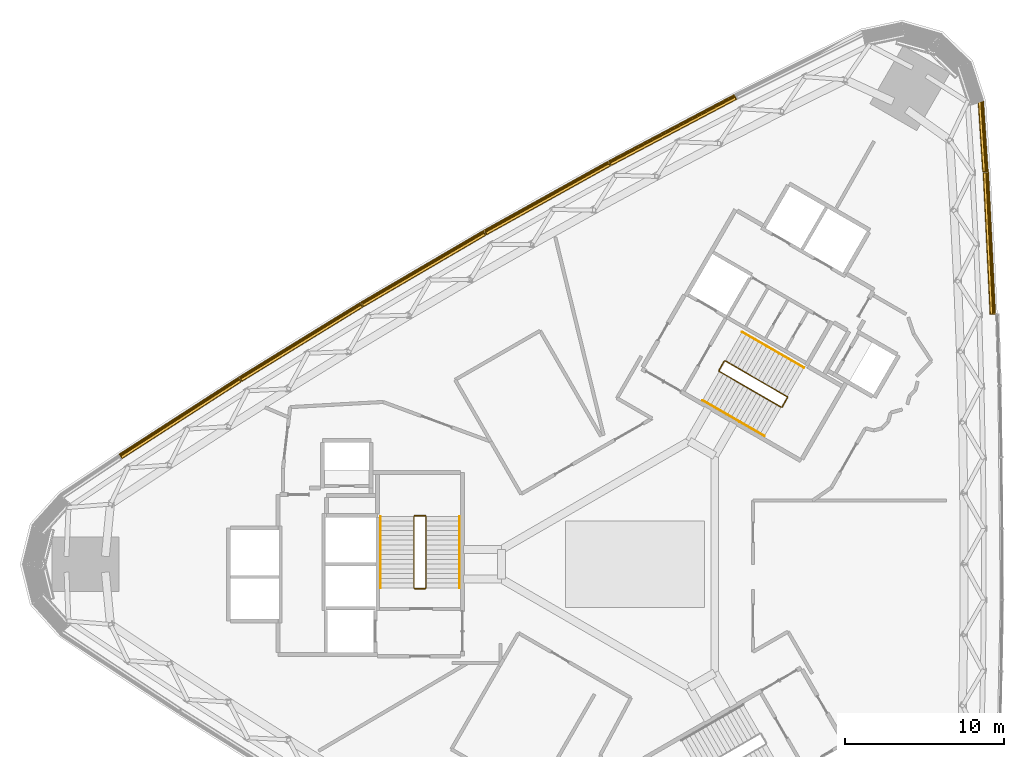
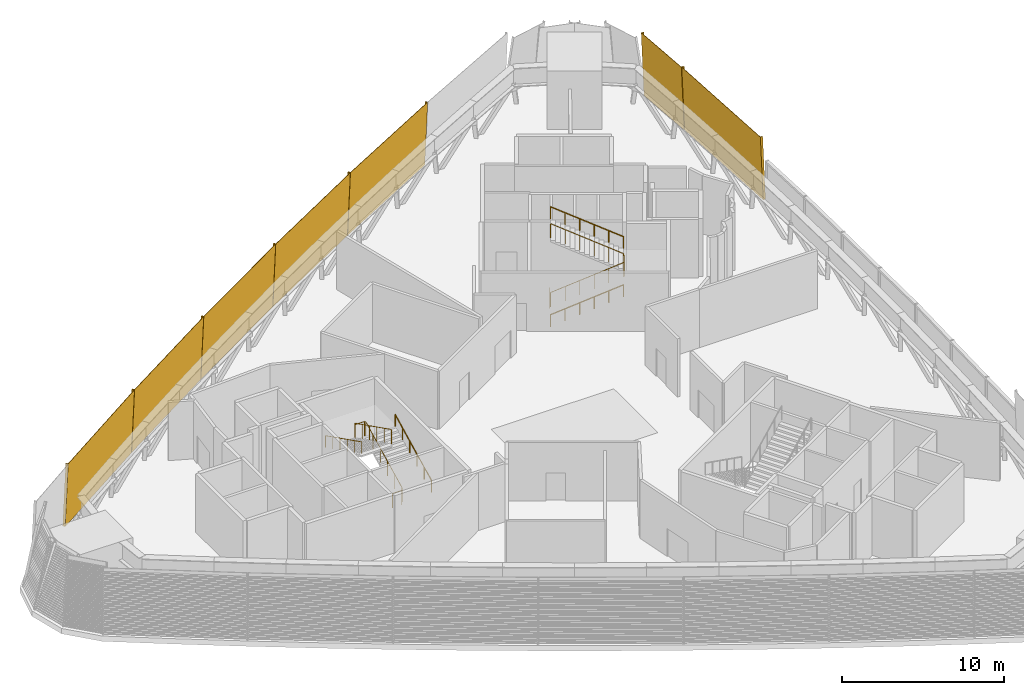
# One storey, part 18 of 19: 7 coverings, 6 railings.
"""IFC4 building model written with IfcOpenShell, lengths in metres."""

from ifc_helpers import new_model, si_unit, direction, frame, frame_2d, origin, origin_2d, place, context, subcontext, project, spatial, rectangle, circle, extrude, source, transform, mapped, material, type_object, element, save


model = new_model("IFC4")

# Units and contexts
model_context = context("Model", 3, precision=1e-05, world=origin(), true_north=direction((0.0, 1.0)))
body_context = subcontext(model_context, "Body", "Model", "MODEL_VIEW")
ifc_project = project(units=[si_unit("LENGTHUNIT", "METRE"), si_unit("AREAUNIT", "SQUARE_METRE"), si_unit("VOLUMEUNIT", "CUBIC_METRE"), si_unit("PLANEANGLEUNIT", "RADIAN"), si_unit("MASSUNIT", "GRAM", prefix="KILO")], contexts=[model_context])

# Site, building, storey
site_placement = place(None, origin())
site = spatial("IfcSite", under=ifc_project, at=site_placement, CompositionType="ELEMENT")
building_placement = place(site_placement, origin())
building = spatial("IfcBuilding", under=site, at=building_placement, Name="Tamra Quay Hotel Tower", CompositionType="ELEMENT")
storey_placement = place(building_placement, frame((0.0, 0.0, 74.60009765625)))
storey = spatial("IfcBuildingStorey", under=building, at=storey_placement, Name="L17", CompositionType="ELEMENT", Elevation=74.60009765625)

# Railings
ifc_material_1 = material(Name="Stair guard 1100")
railing_type_1 = type_object("IfcRailingType", Name="Stair guard 1100", PredefinedType="GUARDRAIL", material=ifc_material_1)
railing_1_placement = place(storey_placement, frame((-13.84130859375, -1.530029296875, 0.0)))
element("IfcRailing", 1, at=railing_1_placement, inside=storey, type_object=railing_type_1, Name="GR", PredefinedType="GUARDRAIL", context=body_context, shape_type="SweptSolid", body=[
    extrude(circle(Radius=0.02392578125, at=origin_2d()), frame((0.0, 0.0, 1.076171875), z_axis=(1.0, 0.0, 0.0), x_axis=(0.0, 1.0, 0.0)), (0.0, 0.0, 1.0), 0.658935546875),
    extrude(circle(Radius=0.02392578125, at=origin_2d()), frame((0.658935546875, 0.0, 1.076171875), z_axis=(0.301912943143, 0.301912943143, 0.904266083366), x_axis=(-0.707106781187, 0.707106781187, 0.0)), (0.0, 0.0, 1.0), 0.165771484375),
    extrude(circle(Radius=0.02392578125, at=origin_2d()), frame((0.708984375, 0.050048828125, 1.22607421875), z_axis=(0.0, 0.893823034308, 0.448419873935), x_axis=(-1.0, 0.0, 0.0)), (0.0, 0.0, 1.0), 5.017578125),
    extrude(circle(Radius=0.02392578125, at=origin_2d()), frame((0.708984375, 4.534912109375, 3.47607421875), z_axis=(-0.707106781187, 0.707106781187, 0.0), x_axis=(-0.707106781187, -0.707106781187, 0.0)), (0.0, 0.0, 1.0), 0.07080078125),
    extrude(circle(Radius=0.02392578125, at=origin_2d()), frame((0.658935546875, 4.5849609375, 3.47607421875), z_axis=(-1.0, 0.0, 0.0), x_axis=(0.0, -1.0, 0.0)), (0.0, 0.0, 1.0), 0.658935546875),
    extrude(circle(Radius=0.02392578125, at=origin_2d()), frame((0.0, 4.5849609375, 3.47607421875), z_axis=(-0.301912943143, -0.301912943143, 0.904266083366), x_axis=(0.707106781187, -0.707106781187, 0.0)), (0.0, 0.0, 1.0), 0.165771484375),
    extrude(circle(Radius=0.02392578125, at=origin_2d()), frame((-0.050048828125, 4.534912109375, 3.6259765625), z_axis=(0.0, -0.893823034308, 0.448419873935), x_axis=(1.0, 0.0, 0.0)), (0.0, 0.0, 1.0), 5.017578125),
    extrude(circle(Radius=0.02099609375, at=origin_2d()), origin(), (0.0, 0.0, 1.0), 1.052001953125),
    extrude(circle(Radius=0.02099609375, at=origin_2d()), frame((0.658935546875, 0.0, 0.0)), (0.0, 0.0, 1.0), 1.052001953125),
    extrude(circle(Radius=0.02099609375, at=origin_2d()), frame((0.708984375, 0.050048828125, 0.14990234375)), (0.0, 0.0, 1.0), 1.052001953125),
    extrude(circle(Radius=0.02099609375, at=origin_2d()), frame((0.708984375, 0.947021484375, 0.599853515625)), (0.0, 0.0, 1.0), 1.052001953125),
    extrude(circle(Radius=0.02099609375, at=origin_2d()), frame((0.708984375, 1.843994140625, 1.0498046875)), (0.0, 0.0, 1.0), 1.052001953125),
    extrude(circle(Radius=0.02099609375, at=origin_2d()), frame((0.708984375, 2.740966796875, 1.5)), (0.0, 0.0, 1.0), 1.052001953125),
    extrude(circle(Radius=0.02099609375, at=origin_2d()), frame((0.708984375, 3.637939453125, 1.949951171875)), (0.0, 0.0, 1.0), 1.052001953125),
    extrude(circle(Radius=0.02099609375, at=origin_2d()), frame((0.708984375, 4.534912109375, 2.39990234375)), (0.0, 0.0, 1.0), 1.052001953125),
    extrude(circle(Radius=0.02099609375, at=origin_2d()), frame((0.658935546875, 4.5849609375, 2.39990234375)), (0.0, 0.0, 1.0), 1.052001953125),
    extrude(circle(Radius=0.02099609375, at=origin_2d()), frame((0.0, 4.5849609375, 2.39990234375)), (0.0, 0.0, 1.0), 1.052001953125),
    extrude(circle(Radius=0.02099609375, at=origin_2d()), frame((-0.050048828125, 4.534912109375, 2.5498046875)), (0.0, 0.0, 1.0), 1.052001953125),
    extrude(circle(Radius=0.02099609375, at=origin_2d()), frame((-0.050048828125, 3.637939453125, 2.999755859375)), (0.0, 0.0, 1.0), 1.052001953125),
    extrude(circle(Radius=0.02099609375, at=origin_2d()), frame((-0.050048828125, 2.740966796875, 3.44970703125)), (0.0, 0.0, 1.0), 1.052001953125),
    extrude(circle(Radius=0.02099609375, at=origin_2d()), frame((-0.050048828125, 1.843994140625, 3.89990234375)), (0.0, 0.0, 1.0), 1.052001953125),
    extrude(circle(Radius=0.02099609375, at=origin_2d()), frame((-0.050048828125, 0.947021484375, 4.349853515625)), (0.0, 0.0, 1.0), 1.052001953125),
    extrude(circle(Radius=0.02099609375, at=origin_2d()), frame((-0.050048828125, 0.050048828125, 4.7998046875)), (0.0, 0.0, 1.0), 1.052001953125),
])
railing_2_placement = place(storey_placement, frame((5.595458984375, 12.751953125, 0.0)))
element("IfcRailing", 2, at=railing_2_placement, inside=storey, type_object=railing_type_1, Name="GR", PredefinedType="GUARDRAIL", context=body_context, shape_type="SweptSolid", body=[
    extrude(circle(Radius=0.02392578125, at=origin_2d()), frame((0.0, 0.0, 1.076171875), z_axis=(-0.499765215335, -0.866160914346, 0.0), x_axis=(0.866160914346, -0.499765215335, 0.0)), (0.0, 0.0, 1.0), 0.658935546875),
    extrude(circle(Radius=0.02392578125, at=origin_2d()), frame((-0.329345703125, -0.57080078125, 1.076171875), z_axis=(0.110525977783, -0.411156637351, 0.904839338113), x_axis=(0.965715946433, 0.259601060869, 0.0)), (0.0, 0.0, 1.0), 0.165771484375),
    extrude(circle(Radius=0.02392578125, at=origin_2d()), frame((-0.31103515625, -0.638916015625, 1.22607421875), z_axis=(0.774058831731, -0.446948546627, 0.448408208764), x_axis=(0.500038154266, 0.866003374288, 0.0)), (0.0, 0.0, 1.0), 5.017822265625),
    extrude(circle(Radius=0.02392578125, at=origin_2d()), frame((3.572998046875, -2.881591796875, 3.47607421875), z_axis=(0.965948051503, 0.258736085224, 0.0), x_axis=(-0.258736085224, 0.965948051503, 0.0)), (0.0, 0.0, 1.0), 0.07080078125),
    extrude(circle(Radius=0.02392578125, at=origin_2d()), frame((3.641357421875, -2.86328125, 3.47607421875), z_axis=(0.499765215335, 0.866160914346, 0.0), x_axis=(-0.866160914346, 0.499765215335, 0.0)), (0.0, 0.0, 1.0), 0.658935546875),
    extrude(circle(Radius=0.02392578125, at=origin_2d()), frame((3.970703125, -2.29248046875, 3.47607421875), z_axis=(-0.110458949641, 0.41238007866, 0.904290601062), x_axis=(-0.965948051503, -0.258736085224, 0.0)), (0.0, 0.0, 1.0), 0.165771484375),
    extrude(circle(Radius=0.02392578125, at=origin_2d()), frame((3.952392578125, -2.22412109375, 3.6259765625), z_axis=(-0.774075664405, 0.446909609502, 0.448417959844), x_axis=(-0.499997328569, -0.86602694613, 0.0)), (0.0, 0.0, 1.0), 5.017578125),
    extrude(circle(Radius=0.02099609375, at=origin_2d()), origin(), (0.0, 0.0, 1.0), 1.052001953125),
    extrude(circle(Radius=0.02099609375, at=origin_2d()), frame((-0.329345703125, -0.57080078125, 0.0)), (0.0, 0.0, 1.0), 1.052001953125),
    extrude(circle(Radius=0.02099609375, at=origin_2d()), frame((-0.31103515625, -0.638916015625, 0.14990234375)), (0.0, 0.0, 1.0), 1.052001953125),
    extrude(circle(Radius=0.02099609375, at=origin_2d()), frame((0.4658203125, -1.08740234375, 0.599853515625)), (0.0, 0.0, 1.0), 1.052001953125),
    extrude(circle(Radius=0.02099609375, at=origin_2d()), frame((1.24267578125, -1.535888671875, 1.0498046875)), (0.0, 0.0, 1.0), 1.052001953125),
    extrude(circle(Radius=0.02099609375, at=origin_2d()), frame((2.019287109375, -1.984619140625, 1.5)), (0.0, 0.0, 1.0), 1.052001953125),
    extrude(circle(Radius=0.02099609375, at=origin_2d()), frame((2.796142578125, -2.43310546875, 1.949951171875)), (0.0, 0.0, 1.0), 1.052001953125),
    extrude(circle(Radius=0.02099609375, at=origin_2d()), frame((3.572998046875, -2.881591796875, 2.39990234375)), (0.0, 0.0, 1.0), 1.052001953125),
    extrude(circle(Radius=0.02099609375, at=origin_2d()), frame((3.641357421875, -2.86328125, 2.39990234375)), (0.0, 0.0, 1.0), 1.052001953125),
    extrude(circle(Radius=0.02099609375, at=origin_2d()), frame((3.970703125, -2.29248046875, 2.39990234375)), (0.0, 0.0, 1.0), 1.052001953125),
    extrude(circle(Radius=0.02099609375, at=origin_2d()), frame((3.952392578125, -2.22412109375, 2.5498046875)), (0.0, 0.0, 1.0), 1.052001953125),
    extrude(circle(Radius=0.02099609375, at=origin_2d()), frame((3.175537109375, -1.775634765625, 2.999755859375)), (0.0, 0.0, 1.0), 1.052001953125),
    extrude(circle(Radius=0.02099609375, at=origin_2d()), frame((2.398681640625, -1.3271484375, 3.44970703125)), (0.0, 0.0, 1.0), 1.052001953125),
    extrude(circle(Radius=0.02099609375, at=origin_2d()), frame((1.6220703125, -0.878662109375, 3.89990234375)), (0.0, 0.0, 1.0), 1.052001953125),
    extrude(circle(Radius=0.02099609375, at=origin_2d()), frame((0.84521484375, -0.43017578125, 4.349853515625)), (0.0, 0.0, 1.0), 1.052001953125),
    extrude(circle(Radius=0.02099609375, at=origin_2d()), frame((0.068359375, 0.018310546875, 4.7998046875)), (0.0, 0.0, 1.0), 1.052001953125),
])
ifc_material_2 = material(Name="Stair handrail 900")
railing_type_2 = type_object("IfcRailingType", Name="Stair handrail 900", PredefinedType="HANDRAIL", material=ifc_material_2)
railing_3_placement = place(storey_placement, frame((-11.0322265625, -1.47998046875, 0.14990234375)))
element("IfcRailing", 3, at=railing_3_placement, inside=storey, type_object=railing_type_2, Name="HR", PredefinedType="HANDRAIL", context=body_context, shape_type="SweptSolid", body=[
    extrude(circle(Radius=0.02392578125, at=origin_2d()), frame((0.0, 0.0, 0.8759765625), z_axis=(0.0, 0.893823034308, 0.448419873935), x_axis=(-1.0, 0.0, 0.0)), (0.0, 0.0, 1.0), 5.017578125),
    extrude(circle(Radius=0.02099609375, at=origin_2d()), origin(), (0.0, 0.0, 1.0), 0.851806640625),
    extrude(circle(Radius=0.02099609375, at=origin_2d()), frame((0.0, 0.89697265625, 0.449951171875)), (0.0, 0.0, 1.0), 0.851806640625),
    extrude(circle(Radius=0.02099609375, at=origin_2d()), frame((0.0, 1.7939453125, 0.89990234375)), (0.0, 0.0, 1.0), 0.851806640625),
    extrude(circle(Radius=0.02099609375, at=origin_2d()), frame((0.0, 2.69091796875, 1.35009765625)), (0.0, 0.0, 1.0), 0.851806640625),
    extrude(circle(Radius=0.02099609375, at=origin_2d()), frame((0.0, 3.587890625, 1.800048828125)), (0.0, 0.0, 1.0), 0.851806640625),
    extrude(circle(Radius=0.02099609375, at=origin_2d()), frame((0.0, 4.48486328125, 2.25)), (0.0, 0.0, 1.0), 0.851806640625),
])
railing_4_placement = place(storey_placement, frame((-15.9912109375, 3.0048828125, 2.5498046875)))
element("IfcRailing", 4, at=railing_4_placement, inside=storey, type_object=railing_type_2, Name="HR", PredefinedType="HANDRAIL", context=body_context, shape_type="SweptSolid", body=[
    extrude(circle(Radius=0.02392578125, at=origin_2d()), frame((0.0, 0.0, 0.8759765625), z_axis=(0.0, -0.893823034308, 0.448419873935), x_axis=(1.0, 0.0, 0.0)), (0.0, 0.0, 1.0), 5.017578125),
    extrude(circle(Radius=0.02099609375, at=origin_2d()), origin(), (0.0, 0.0, 1.0), 0.851806640625),
    extrude(circle(Radius=0.02099609375, at=origin_2d()), frame((0.0, -0.89697265625, 0.449951171875)), (0.0, 0.0, 1.0), 0.851806640625),
    extrude(circle(Radius=0.02099609375, at=origin_2d()), frame((0.0, -1.7939453125, 0.89990234375)), (0.0, 0.0, 1.0), 0.851806640625),
    extrude(circle(Radius=0.02099609375, at=origin_2d()), frame((0.0, -2.69091796875, 1.35009765625)), (0.0, 0.0, 1.0), 0.851806640625),
    extrude(circle(Radius=0.02099609375, at=origin_2d()), frame((0.0, -3.587890625, 1.800048828125)), (0.0, 0.0, 1.0), 0.851806640625),
    extrude(circle(Radius=0.02099609375, at=origin_2d()), frame((0.0, -4.48486328125, 2.25)), (0.0, 0.0, 1.0), 0.851806640625),
])
railing_5_placement = place(storey_placement, frame((4.234375, 10.294189453125, 0.14990234375)))
element("IfcRailing", 5, at=railing_5_placement, inside=storey, type_object=railing_type_2, Name="HR", PredefinedType="HANDRAIL", context=body_context, shape_type="SweptSolid", body=[
    extrude(circle(Radius=0.02392578125, at=origin_2d()), frame((0.0, 0.0, 0.8759765625), z_axis=(0.774075664405, -0.446909609502, 0.448417959844), x_axis=(0.499997328569, 0.86602694613, 0.0)), (0.0, 0.0, 1.0), 5.017578125),
    extrude(circle(Radius=0.02099609375, at=origin_2d()), origin(), (0.0, 0.0, 1.0), 0.851806640625),
    extrude(circle(Radius=0.02099609375, at=origin_2d()), frame((0.77685546875, -0.448486328125, 0.449951171875)), (0.0, 0.0, 1.0), 0.851806640625),
    extrude(circle(Radius=0.02099609375, at=origin_2d()), frame((1.5537109375, -0.89697265625, 0.89990234375)), (0.0, 0.0, 1.0), 0.851806640625),
    extrude(circle(Radius=0.02099609375, at=origin_2d()), frame((2.330322265625, -1.345458984375, 1.35009765625)), (0.0, 0.0, 1.0), 0.851806640625),
    extrude(circle(Radius=0.02099609375, at=origin_2d()), frame((3.107177734375, -1.7939453125, 1.800048828125)), (0.0, 0.0, 1.0), 0.851806640625),
    extrude(circle(Radius=0.02099609375, at=origin_2d()), frame((3.884033203125, -2.242431640625, 2.25)), (0.0, 0.0, 1.0), 0.851806640625),
])
railing_6_placement = place(storey_placement, frame((10.597900390625, 12.346435546875, 2.5498046875)))
element("IfcRailing", 6, at=railing_6_placement, inside=storey, type_object=railing_type_2, Name="HR", PredefinedType="HANDRAIL", context=body_context, shape_type="SweptSolid", body=[
    extrude(circle(Radius=0.02392578125, at=origin_2d()), frame((0.0, 0.0, 0.8759765625), z_axis=(-0.774075664405, 0.446909609502, 0.448417959844), x_axis=(-0.499997328569, -0.86602694613, 0.0)), (0.0, 0.0, 1.0), 5.017578125),
    extrude(circle(Radius=0.02099609375, at=origin_2d()), origin(), (0.0, 0.0, 1.0), 0.851806640625),
    extrude(circle(Radius=0.02099609375, at=origin_2d()), frame((-0.77685546875, 0.448486328125, 0.449951171875)), (0.0, 0.0, 1.0), 0.851806640625),
    extrude(circle(Radius=0.02099609375, at=origin_2d()), frame((-1.5537109375, 0.89697265625, 0.89990234375)), (0.0, 0.0, 1.0), 0.851806640625),
    extrude(circle(Radius=0.02099609375, at=origin_2d()), frame((-2.330322265625, 1.345458984375, 1.35009765625)), (0.0, 0.0, 1.0), 0.851806640625),
    extrude(circle(Radius=0.02099609375, at=origin_2d()), frame((-3.107177734375, 1.7939453125, 1.800048828125)), (0.0, 0.0, 1.0), 0.851806640625),
    extrude(circle(Radius=0.02099609375, at=origin_2d()), frame((-3.884033203125, 2.242431640625, 2.25)), (0.0, 0.0, 1.0), 0.851806640625),
])

# Coverings
ifc_material_3 = material(Name="Terracotta louvre panel", Category="masonry")
covering_type = type_object("IfcCoveringType", Name="PLANT LOUVRE H4805", PredefinedType="USERDEFINED", material=ifc_material_3)
shared_shape_1 = source(origin(), body_context, "Body", "SweptSolid", [
    extrude(rectangle(XDim=8.93994140625, YDim=0.030029296875, at=frame_2d((4.469970703125, 0.01513671875))), frame((-4.469970703125, -0.030029296875, 0.0)), (0.0, 0.0, 1.0), 4.804931640625),
    extrude(rectangle(XDim=0.050048828125, YDim=0.139892578125, at=frame_2d((0.02490234375, 0.06982421875))), frame((-4.469970703125, -0.169921875, 0.0)), (0.0, 0.0, 1.0), 4.804931640625),
    extrude(rectangle(XDim=0.050048828125, YDim=0.139892578125, at=frame_2d((0.02490234375, 0.06982421875))), frame((4.419921875, -0.169921875, 0.0)), (0.0, 0.0, 1.0), 4.804931640625),
    extrude(rectangle(XDim=8.840087890625, YDim=0.139892578125, at=frame_2d((4.419921875, 0.06982421875))), frame((-4.419921875, -0.169921875, 0.050048828125)), (0.0, 0.0, 1.0), 0.034912109375),
    extrude(rectangle(XDim=8.840087890625, YDim=0.139892578125, at=frame_2d((4.419921875, 0.06982421875))), frame((-4.419921875, -0.169921875, 0.2099609375)), (0.0, 0.0, 1.0), 0.034912109375),
    extrude(rectangle(XDim=8.840087890625, YDim=0.139892578125, at=frame_2d((4.419921875, 0.06982421875))), frame((-4.419921875, -0.169921875, 0.3701171875)), (0.0, 0.0, 1.0), 0.034912109375),
    extrude(rectangle(XDim=8.840087890625, YDim=0.139892578125, at=frame_2d((4.419921875, 0.06982421875))), frame((-4.419921875, -0.169921875, 0.530029296875)), (0.0, 0.0, 1.0), 0.034912109375),
    extrude(rectangle(XDim=8.840087890625, YDim=0.139892578125, at=frame_2d((4.419921875, 0.06982421875))), frame((-4.419921875, -0.169921875, 0.68994140625)), (0.0, 0.0, 1.0), 0.034912109375),
    extrude(rectangle(XDim=8.840087890625, YDim=0.139892578125, at=frame_2d((4.419921875, 0.06982421875))), frame((-4.419921875, -0.169921875, 0.85009765625)), (0.0, 0.0, 1.0), 0.034912109375),
    extrude(rectangle(XDim=8.840087890625, YDim=0.139892578125, at=frame_2d((4.419921875, 0.06982421875))), frame((-4.419921875, -0.169921875, 1.010009765625)), (0.0, 0.0, 1.0), 0.034912109375),
    extrude(rectangle(XDim=8.840087890625, YDim=0.139892578125, at=frame_2d((4.419921875, 0.06982421875))), frame((-4.419921875, -0.169921875, 1.169921875)), (0.0, 0.0, 1.0), 0.034912109375),
    extrude(rectangle(XDim=8.840087890625, YDim=0.139892578125, at=frame_2d((4.419921875, 0.06982421875))), frame((-4.419921875, -0.169921875, 1.330078125)), (0.0, 0.0, 1.0), 0.034912109375),
    extrude(rectangle(XDim=8.840087890625, YDim=0.139892578125, at=frame_2d((4.419921875, 0.06982421875))), frame((-4.419921875, -0.169921875, 1.489990234375)), (0.0, 0.0, 1.0), 0.034912109375),
    extrude(rectangle(XDim=8.840087890625, YDim=0.139892578125, at=frame_2d((4.419921875, 0.06982421875))), frame((-4.419921875, -0.169921875, 1.64990234375)), (0.0, 0.0, 1.0), 0.034912109375),
    extrude(rectangle(XDim=8.840087890625, YDim=0.139892578125, at=frame_2d((4.419921875, 0.06982421875))), frame((-4.419921875, -0.169921875, 1.81005859375)), (0.0, 0.0, 1.0), 0.034912109375),
    extrude(rectangle(XDim=8.840087890625, YDim=0.139892578125, at=frame_2d((4.419921875, 0.06982421875))), frame((-4.419921875, -0.169921875, 1.969970703125)), (0.0, 0.0, 1.0), 0.034912109375),
    extrude(rectangle(XDim=8.840087890625, YDim=0.139892578125, at=frame_2d((4.419921875, 0.06982421875))), frame((-4.419921875, -0.169921875, 2.1298828125)), (0.0, 0.0, 1.0), 0.034912109375),
    extrude(rectangle(XDim=8.840087890625, YDim=0.139892578125, at=frame_2d((4.419921875, 0.06982421875))), frame((-4.419921875, -0.169921875, 2.2900390625)), (0.0, 0.0, 1.0), 0.034912109375),
    extrude(rectangle(XDim=8.840087890625, YDim=0.139892578125, at=frame_2d((4.419921875, 0.06982421875))), frame((-4.419921875, -0.169921875, 2.449951171875)), (0.0, 0.0, 1.0), 0.034912109375),
    extrude(rectangle(XDim=8.840087890625, YDim=0.139892578125, at=frame_2d((4.419921875, 0.06982421875))), frame((-4.419921875, -0.169921875, 2.610107421875)), (0.0, 0.0, 1.0), 0.034912109375),
    extrude(rectangle(XDim=8.840087890625, YDim=0.139892578125, at=frame_2d((4.419921875, 0.06982421875))), frame((-4.419921875, -0.169921875, 2.77001953125)), (0.0, 0.0, 1.0), 0.034912109375),
    extrude(rectangle(XDim=8.840087890625, YDim=0.139892578125, at=frame_2d((4.419921875, 0.06982421875))), frame((-4.419921875, -0.169921875, 2.929931640625)), (0.0, 0.0, 1.0), 0.034912109375),
    extrude(rectangle(XDim=8.840087890625, YDim=0.139892578125, at=frame_2d((4.419921875, 0.06982421875))), frame((-4.419921875, -0.169921875, 3.090087890625)), (0.0, 0.0, 1.0), 0.034912109375),
    extrude(rectangle(XDim=8.840087890625, YDim=0.139892578125, at=frame_2d((4.419921875, 0.06982421875))), frame((-4.419921875, -0.169921875, 3.25)), (0.0, 0.0, 1.0), 0.034912109375),
    extrude(rectangle(XDim=8.840087890625, YDim=0.139892578125, at=frame_2d((4.419921875, 0.06982421875))), frame((-4.419921875, -0.169921875, 3.409912109375)), (0.0, 0.0, 1.0), 0.034912109375),
    extrude(rectangle(XDim=8.840087890625, YDim=0.139892578125, at=frame_2d((4.419921875, 0.06982421875))), frame((-4.419921875, -0.169921875, 3.570068359375)), (0.0, 0.0, 1.0), 0.034912109375),
    extrude(rectangle(XDim=8.840087890625, YDim=0.139892578125, at=frame_2d((4.419921875, 0.06982421875))), frame((-4.419921875, -0.169921875, 3.72998046875)), (0.0, 0.0, 1.0), 0.034912109375),
    extrude(rectangle(XDim=8.840087890625, YDim=0.139892578125, at=frame_2d((4.419921875, 0.06982421875))), frame((-4.419921875, -0.169921875, 3.889892578125)), (0.0, 0.0, 1.0), 0.034912109375),
    extrude(rectangle(XDim=8.840087890625, YDim=0.139892578125, at=frame_2d((4.419921875, 0.06982421875))), frame((-4.419921875, -0.169921875, 4.050048828125)), (0.0, 0.0, 1.0), 0.034912109375),
    extrude(rectangle(XDim=8.840087890625, YDim=0.139892578125, at=frame_2d((4.419921875, 0.06982421875))), frame((-4.419921875, -0.169921875, 4.2099609375)), (0.0, 0.0, 1.0), 0.034912109375),
    extrude(rectangle(XDim=8.840087890625, YDim=0.139892578125, at=frame_2d((4.419921875, 0.06982421875))), frame((-4.419921875, -0.169921875, 4.3701171875)), (0.0, 0.0, 1.0), 0.034912109375),
    extrude(rectangle(XDim=8.840087890625, YDim=0.139892578125, at=frame_2d((4.419921875, 0.06982421875))), frame((-4.419921875, -0.169921875, 4.530029296875)), (0.0, 0.0, 1.0), 0.034912109375),
])
for number, where, z_axis, x_axis, name in (
    (7, (22.261962890625, 20.150390625, 0.0), (-0.043567683748, -0.002123178499, 0.999048221582), (-0.048675110469, 0.9988146643, 0.0), "Plant louvre L17.E.f10"),
    (8, (2.346923828125, 27.28466796875, 0.0), (0.020363069788, -0.038574555641, 0.999048221582), (-0.884344278343, -0.466835300038, 0.0), "Plant louvre L17.NW.f02"),
    (9, (-5.5302734375, 23.016845703125, 0.0), (0.021193048163, -0.03812486936, 0.999048221582), (-0.874034956986, -0.485863040339, 0.0), "Plant louvre L17.NW.f04"),
    (10, (-13.31298828125, 18.579345703125, 0.0), (0.022014057925, -0.03765676842, 0.999048221582), (-0.863303468806, -0.504685169931, 0.0), "Plant louvre L17.NW.f06"),
    (11, (-20.998046875, 13.974609375, 0.0), (0.022824148252, -0.037171349326, 0.999048221582), (-0.852174951809, -0.523256965085, 0.0), "Plant louvre L17.NW.f08"),
    (12, (-28.58154296875, 9.2041015625, 0.0), (0.023622568391, -0.036669131661, 0.999048221582), (-0.840661317722, -0.541561214349, 0.0), "Plant louvre L17.NW.f10"),
):
    element("IfcCovering", number, at=place(storey_placement, frame(where, z_axis=z_axis, x_axis=x_axis)), inside=storey, type_object=covering_type, Name=name, ObjectType="LOUVER", PredefinedType="USERDEFINED", context=body_context, shape_type="MappedRepresentation", body=[
        mapped(shared_shape_1, transform((0.0, 0.0, 0.0), scale=1.0)),
    ])
shared_shape_2 = source(origin(), body_context, "Body", "SweptSolid", [
    extrude(rectangle(XDim=4.4599609375, YDim=0.030029296875, at=frame_2d((2.22998046875, 0.01513671875))), frame((-2.22998046875, -0.030029296875, 0.0)), (0.0, 0.0, 1.0), 4.804931640625),
    extrude(rectangle(XDim=0.050048828125, YDim=0.139892578125, at=frame_2d((0.02490234375, 0.06982421875))), frame((-2.22998046875, -0.169921875, 0.0)), (0.0, 0.0, 1.0), 4.804931640625),
    extrude(rectangle(XDim=0.050048828125, YDim=0.139892578125, at=frame_2d((0.02490234375, 0.06982421875))), frame((2.179931640625, -0.169921875, 0.0)), (0.0, 0.0, 1.0), 4.804931640625),
    extrude(rectangle(XDim=4.360107421875, YDim=0.139892578125, at=frame_2d((2.18017578125, 0.06982421875))), frame((-2.179931640625, -0.169921875, 0.050048828125)), (0.0, 0.0, 1.0), 0.034912109375),
    extrude(rectangle(XDim=4.360107421875, YDim=0.139892578125, at=frame_2d((2.18017578125, 0.06982421875))), frame((-2.179931640625, -0.169921875, 0.2099609375)), (0.0, 0.0, 1.0), 0.034912109375),
    extrude(rectangle(XDim=4.360107421875, YDim=0.139892578125, at=frame_2d((2.18017578125, 0.06982421875))), frame((-2.179931640625, -0.169921875, 0.3701171875)), (0.0, 0.0, 1.0), 0.034912109375),
    extrude(rectangle(XDim=4.360107421875, YDim=0.139892578125, at=frame_2d((2.18017578125, 0.06982421875))), frame((-2.179931640625, -0.169921875, 0.530029296875)), (0.0, 0.0, 1.0), 0.034912109375),
    extrude(rectangle(XDim=4.360107421875, YDim=0.139892578125, at=frame_2d((2.18017578125, 0.06982421875))), frame((-2.179931640625, -0.169921875, 0.68994140625)), (0.0, 0.0, 1.0), 0.034912109375),
    extrude(rectangle(XDim=4.360107421875, YDim=0.139892578125, at=frame_2d((2.18017578125, 0.06982421875))), frame((-2.179931640625, -0.169921875, 0.85009765625)), (0.0, 0.0, 1.0), 0.034912109375),
    extrude(rectangle(XDim=4.360107421875, YDim=0.139892578125, at=frame_2d((2.18017578125, 0.06982421875))), frame((-2.179931640625, -0.169921875, 1.010009765625)), (0.0, 0.0, 1.0), 0.034912109375),
    extrude(rectangle(XDim=4.360107421875, YDim=0.139892578125, at=frame_2d((2.18017578125, 0.06982421875))), frame((-2.179931640625, -0.169921875, 1.169921875)), (0.0, 0.0, 1.0), 0.034912109375),
    extrude(rectangle(XDim=4.360107421875, YDim=0.139892578125, at=frame_2d((2.18017578125, 0.06982421875))), frame((-2.179931640625, -0.169921875, 1.330078125)), (0.0, 0.0, 1.0), 0.034912109375),
    extrude(rectangle(XDim=4.360107421875, YDim=0.139892578125, at=frame_2d((2.18017578125, 0.06982421875))), frame((-2.179931640625, -0.169921875, 1.489990234375)), (0.0, 0.0, 1.0), 0.034912109375),
    extrude(rectangle(XDim=4.360107421875, YDim=0.139892578125, at=frame_2d((2.18017578125, 0.06982421875))), frame((-2.179931640625, -0.169921875, 1.64990234375)), (0.0, 0.0, 1.0), 0.034912109375),
    extrude(rectangle(XDim=4.360107421875, YDim=0.139892578125, at=frame_2d((2.18017578125, 0.06982421875))), frame((-2.179931640625, -0.169921875, 1.81005859375)), (0.0, 0.0, 1.0), 0.034912109375),
    extrude(rectangle(XDim=4.360107421875, YDim=0.139892578125, at=frame_2d((2.18017578125, 0.06982421875))), frame((-2.179931640625, -0.169921875, 1.969970703125)), (0.0, 0.0, 1.0), 0.034912109375),
    extrude(rectangle(XDim=4.360107421875, YDim=0.139892578125, at=frame_2d((2.18017578125, 0.06982421875))), frame((-2.179931640625, -0.169921875, 2.1298828125)), (0.0, 0.0, 1.0), 0.034912109375),
    extrude(rectangle(XDim=4.360107421875, YDim=0.139892578125, at=frame_2d((2.18017578125, 0.06982421875))), frame((-2.179931640625, -0.169921875, 2.2900390625)), (0.0, 0.0, 1.0), 0.034912109375),
    extrude(rectangle(XDim=4.360107421875, YDim=0.139892578125, at=frame_2d((2.18017578125, 0.06982421875))), frame((-2.179931640625, -0.169921875, 2.449951171875)), (0.0, 0.0, 1.0), 0.034912109375),
    extrude(rectangle(XDim=4.360107421875, YDim=0.139892578125, at=frame_2d((2.18017578125, 0.06982421875))), frame((-2.179931640625, -0.169921875, 2.610107421875)), (0.0, 0.0, 1.0), 0.034912109375),
    extrude(rectangle(XDim=4.360107421875, YDim=0.139892578125, at=frame_2d((2.18017578125, 0.06982421875))), frame((-2.179931640625, -0.169921875, 2.77001953125)), (0.0, 0.0, 1.0), 0.034912109375),
    extrude(rectangle(XDim=4.360107421875, YDim=0.139892578125, at=frame_2d((2.18017578125, 0.06982421875))), frame((-2.179931640625, -0.169921875, 2.929931640625)), (0.0, 0.0, 1.0), 0.034912109375),
    extrude(rectangle(XDim=4.360107421875, YDim=0.139892578125, at=frame_2d((2.18017578125, 0.06982421875))), frame((-2.179931640625, -0.169921875, 3.090087890625)), (0.0, 0.0, 1.0), 0.034912109375),
    extrude(rectangle(XDim=4.360107421875, YDim=0.139892578125, at=frame_2d((2.18017578125, 0.06982421875))), frame((-2.179931640625, -0.169921875, 3.25)), (0.0, 0.0, 1.0), 0.034912109375),
    extrude(rectangle(XDim=4.360107421875, YDim=0.139892578125, at=frame_2d((2.18017578125, 0.06982421875))), frame((-2.179931640625, -0.169921875, 3.409912109375)), (0.0, 0.0, 1.0), 0.034912109375),
    extrude(rectangle(XDim=4.360107421875, YDim=0.139892578125, at=frame_2d((2.18017578125, 0.06982421875))), frame((-2.179931640625, -0.169921875, 3.570068359375)), (0.0, 0.0, 1.0), 0.034912109375),
    extrude(rectangle(XDim=4.360107421875, YDim=0.139892578125, at=frame_2d((2.18017578125, 0.06982421875))), frame((-2.179931640625, -0.169921875, 3.72998046875)), (0.0, 0.0, 1.0), 0.034912109375),
    extrude(rectangle(XDim=4.360107421875, YDim=0.139892578125, at=frame_2d((2.18017578125, 0.06982421875))), frame((-2.179931640625, -0.169921875, 3.889892578125)), (0.0, 0.0, 1.0), 0.034912109375),
    extrude(rectangle(XDim=4.360107421875, YDim=0.139892578125, at=frame_2d((2.18017578125, 0.06982421875))), frame((-2.179931640625, -0.169921875, 4.050048828125)), (0.0, 0.0, 1.0), 0.034912109375),
    extrude(rectangle(XDim=4.360107421875, YDim=0.139892578125, at=frame_2d((2.18017578125, 0.06982421875))), frame((-2.179931640625, -0.169921875, 4.2099609375)), (0.0, 0.0, 1.0), 0.034912109375),
    extrude(rectangle(XDim=4.360107421875, YDim=0.139892578125, at=frame_2d((2.18017578125, 0.06982421875))), frame((-2.179931640625, -0.169921875, 4.3701171875)), (0.0, 0.0, 1.0), 0.034912109375),
    extrude(rectangle(XDim=4.360107421875, YDim=0.139892578125, at=frame_2d((2.18017578125, 0.06982421875))), frame((-2.179931640625, -0.169921875, 4.530029296875)), (0.0, 0.0, 1.0), 0.034912109375),
])
covering_placement = place(storey_placement, frame((21.87451171875, 26.8583984375, 0.0), z_axis=(-0.043527673697, -0.00282711454, 0.999048221582), x_axis=(-0.064813256473, 0.997897410451, 0.0)))
element("IfcCovering", 13, at=covering_placement, inside=storey, type_object=covering_type, Name="Plant louvre L17.E.f12", ObjectType="LOUVER", PredefinedType="USERDEFINED", context=body_context, shape_type="MappedRepresentation", body=[
    mapped(shared_shape_2, transform((0.0, 0.0, 0.0), scale=1.0)),
])

save(model, "model.ifc")
